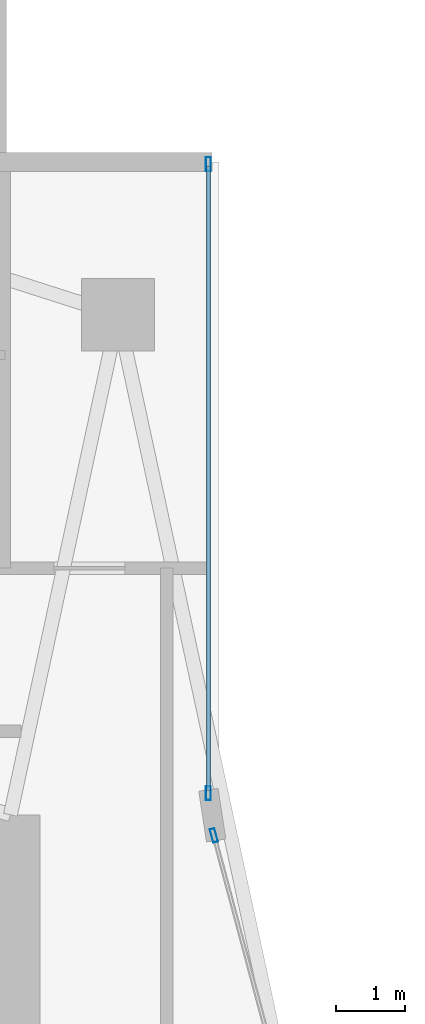
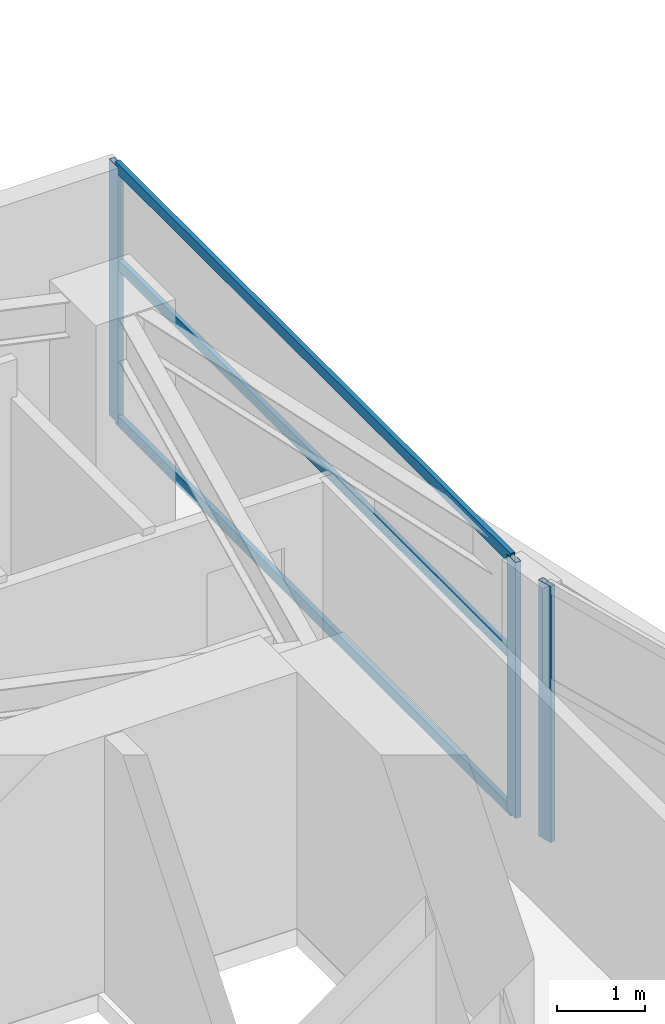
# One storey, part 18 of 28: 6 members, 2 elements without a shape of their own.
"""IFC4 building model written with IfcOpenShell, lengths in metres."""

from ifc_helpers import new_model, si_unit, direction, frame, origin, origin_2d, place, context, subcontext, project, spatial, hollow_rectangle, extrude, material, layer, layer_set, material_profile, profile_set, type_object, element, aggregate, save


model = new_model("IFC4")

# Units and contexts
model_context = context("Model", 3, precision=1e-05, world=origin(), true_north=direction((0.0, 1.0)))
body_context = subcontext(model_context, "Body", "Model", "MODEL_VIEW")
ifc_project = project(units=[si_unit("LENGTHUNIT", "METRE"), si_unit("AREAUNIT", "SQUARE_METRE"), si_unit("VOLUMEUNIT", "CUBIC_METRE"), si_unit("PLANEANGLEUNIT", "RADIAN"), si_unit("MASSUNIT", "GRAM", prefix="KILO")], contexts=[model_context])

# Site, building, storey
site_placement = place(None, origin())
site = spatial("IfcSite", under=ifc_project, at=site_placement, CompositionType="ELEMENT")
building_placement = place(site_placement, origin())
building = spatial("IfcBuilding", under=site, at=building_placement, Name="Calvorn Quay Hotel", CompositionType="ELEMENT")
storey_placement = place(building_placement, frame((0.0, 0.0, 156.10009765625)))
storey = spatial("IfcBuildingStorey", under=building, at=storey_placement, Name="L38", CompositionType="ELEMENT", Elevation=156.10009765625)

# Curtain wall, member
ifc_material_1 = material(Name="Pale Anodised Aluminium and Low-E Glass", Category="aluminium")
ifc_layer = layer(ifc_material_1, 0.219970703125)
ifc_layer_set = layer_set([ifc_layer], Name="CW-SYS-Z2")
curtain_wall_type = type_object("IfcCurtainWallType", Name="CW-SYS-Z2", PredefinedType="NOTDEFINED", material=ifc_layer_set)
curtain_wall_1_placement = place(storey_placement, origin())
curtain_wall_1 = element("IfcCurtainWall", 1, at=curtain_wall_1_placement, inside=storey, type_object=curtain_wall_type, Name="Inner Court Curtain Wall L38-IC1", PredefinedType="NOTDEFINED")
ifc_material_2 = material(Name="Pale Anodised Aluminium 6063-T6", Category="aluminium")
ifc_material_profile_1 = material_profile(ifc_material_2, hollow_rectangle(XDim=0.070068359375, YDim=0.199951171875, WallThickness=0.00390625, at=origin_2d()), Name="ALU-M200x70x4")
ifc_profile_set_1 = profile_set([ifc_material_profile_1], Name="Pale Anodised Aluminium 6063-T6")
member_type_1 = type_object("IfcMemberType", Name="CW-SYS-Z2-MUL", PredefinedType="MULLION", material=ifc_profile_set_1)
member_1_placement = place(storey_placement, frame((17.9296875, 38.10107421875, 0.0), z_axis=(0.0, 0.0, 1.0), x_axis=(-0.96593652056, -0.25877913024, 0.0)))
member_1 = element("IfcMember", 2, at=member_1_placement, type_object=member_type_1, Name="CW-L38-IC1 mullion 2", PredefinedType="MULLION", context=body_context, shape_type="SweptSolid", body=[
    extrude(hollow_rectangle(XDim=0.070068359375, YDim=0.199951171875, WallThickness=0.00390625, at=origin_2d()), origin(), (0.0, 0.0, 1.0), 3.559814453125),
])
aggregate(curtain_wall_1, [member_1])

# Curtain wall, members
curtain_wall_2_placement = place(storey_placement, origin())
curtain_wall_2 = element("IfcCurtainWall", 3, at=curtain_wall_2_placement, inside=storey, type_object=curtain_wall_type, Name="Inner Court Curtain Wall L38-IC2", PredefinedType="NOTDEFINED")
member_2_placement = place(storey_placement, frame((17.85009765625, 38.7099609375, 0.0), z_axis=(0.0, 0.0, 1.0), x_axis=(-1.0, 0.0, 0.0)))
member_2 = element("IfcMember", 4, at=member_2_placement, type_object=member_type_1, Name="CW-L38-IC2 mullion 1", PredefinedType="MULLION", context=body_context, shape_type="SweptSolid", body=[
    extrude(hollow_rectangle(XDim=0.070068359375, YDim=0.199951171875, WallThickness=0.00390625, at=origin_2d()), origin(), (0.0, 0.0, 1.0), 3.559814453125),
])
member_3_placement = place(storey_placement, frame((17.85009765625, 47.77001953125, 0.0), z_axis=(0.0, 0.0, 1.0), x_axis=(-1.0, 0.0, 0.0)))
member_3 = element("IfcMember", 5, at=member_3_placement, type_object=member_type_1, Name="CW-L38-IC2 mullion 2", PredefinedType="MULLION", context=body_context, shape_type="SweptSolid", body=[
    extrude(hollow_rectangle(XDim=0.070068359375, YDim=0.199951171875, WallThickness=0.00390625, at=origin_2d()), origin(), (0.0, 0.0, 1.0), 3.559814453125),
])
ifc_material_3 = material(Name="Pale Anodised Aluminium 6063-T6", Category="aluminium")
ifc_material_profile_2 = material_profile(ifc_material_3, hollow_rectangle(XDim=0.06005859375, YDim=0.14990234375, WallThickness=0.00341796875, at=origin_2d()), Name="ALU-T150x60x3.5")
ifc_profile_set_2 = profile_set([ifc_material_profile_2], Name="Pale Anodised Aluminium 6063-T6")
member_type_2 = type_object("IfcMemberType", Name="CW-SYS-Z2-TRN", PredefinedType="USERDEFINED", material=ifc_profile_set_2)
member_4_placement = place(storey_placement, frame((17.85009765625, 38.739990234375, 0.02978515625), z_axis=(0.0, 1.0, 0.0), x_axis=(-1.0, 0.0, 0.0)))
member_4 = element("IfcMember", 6, at=member_4_placement, type_object=member_type_2, Name="CW-L38-IC2 transom 1.1", ObjectType="TRANSOM", PredefinedType="USERDEFINED", context=body_context, shape_type="SweptSolid", body=[
    extrude(hollow_rectangle(XDim=0.06005859375, YDim=0.14990234375, WallThickness=0.00341796875, at=origin_2d()), origin(), (0.0, 0.0, 1.0), 9.0),
])
member_5_placement = place(storey_placement, frame((17.85009765625, 38.739990234375, 2.199951171875), z_axis=(0.0, 1.0, 0.0), x_axis=(-1.0, 0.0, 0.0)))
member_5 = element("IfcMember", 7, at=member_5_placement, type_object=member_type_2, Name="CW-L38-IC2 transom 1.2", ObjectType="TRANSOM", PredefinedType="USERDEFINED", context=body_context, shape_type="SweptSolid", body=[
    extrude(hollow_rectangle(XDim=0.06005859375, YDim=0.14990234375, WallThickness=0.00341796875, at=origin_2d()), origin(), (0.0, 0.0, 1.0), 9.0),
])
member_6_placement = place(storey_placement, frame((17.85009765625, 38.739990234375, 3.52978515625), z_axis=(0.0, 1.0, 0.0), x_axis=(-1.0, 0.0, 0.0)))
member_6 = element("IfcMember", 8, at=member_6_placement, type_object=member_type_2, Name="CW-L38-IC2 transom 1.3", ObjectType="TRANSOM", PredefinedType="USERDEFINED", context=body_context, shape_type="SweptSolid", body=[
    extrude(hollow_rectangle(XDim=0.06005859375, YDim=0.14990234375, WallThickness=0.00341796875, at=origin_2d()), origin(), (0.0, 0.0, 1.0), 9.0),
])
aggregate(curtain_wall_2, [member_2, member_3, member_4, member_5, member_6])

save(model, "model.ifc")
